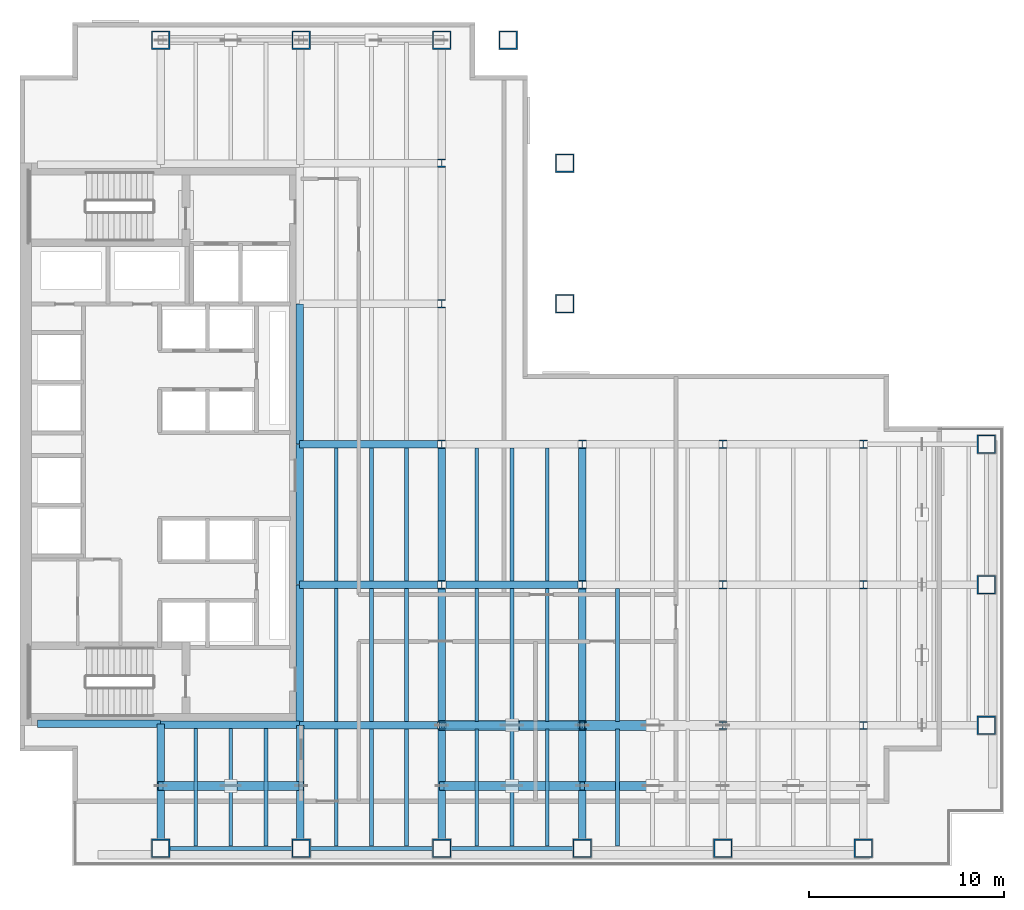
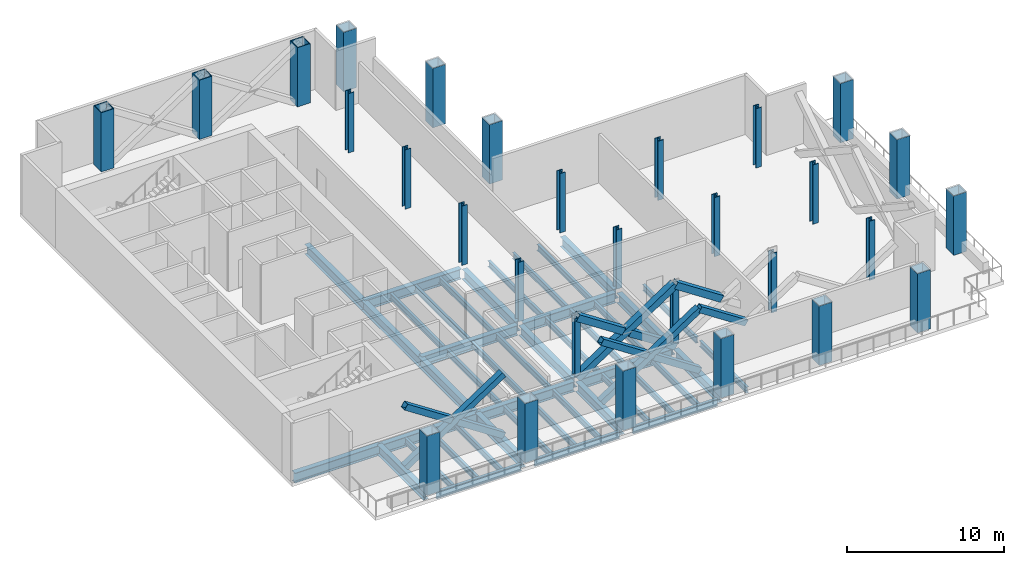
# One storey, part 1 of 9: 44 beams, 29 columns, 11 members.
"""IFC4 building model written with IfcOpenShell, lengths in metres."""

from ifc_helpers import new_model, si_unit, direction, frame, origin, origin_2d, place, context, subcontext, project, spatial, hollow_rectangle, i_section, extrude, material, material_profile, profile_set, type_object, element, save


model = new_model("IFC4")

# Units and contexts
model_context = context("Model", 3, precision=1e-05, world=origin(), true_north=direction((0.0, 1.0)))
body_context = subcontext(model_context, "Body", "Model", "MODEL_VIEW")
ifc_project = project(units=[si_unit("LENGTHUNIT", "METRE"), si_unit("AREAUNIT", "SQUARE_METRE"), si_unit("VOLUMEUNIT", "CUBIC_METRE"), si_unit("PLANEANGLEUNIT", "RADIAN"), si_unit("MASSUNIT", "GRAM", prefix="KILO")], contexts=[model_context])

# Site, building, storey
site_placement = place(None, origin())
site = spatial("IfcSite", under=ifc_project, at=site_placement, CompositionType="ELEMENT")
building_placement = place(site_placement, origin())
building = spatial("IfcBuilding", under=site, at=building_placement, Name="Cobrela Telecom Tower", CompositionType="ELEMENT")
storey_placement = place(building_placement, frame((0.0, 0.0, 92.75)))
storey = spatial("IfcBuildingStorey", under=building, at=storey_placement, Name="L23", CompositionType="ELEMENT", Elevation=92.75)

# Columns
ifc_material_1 = material(Name="Steel ASTM A992 Grade 50", Category="steel")
ifc_material_profile_1 = material_profile(ifc_material_1, i_section(OverallWidth=0.408935546875, OverallDepth=0.424072265625, WebThickness=0.03271484375, FlangeThickness=0.052490234375, FilletRadius=0.01806640625, at=origin_2d()), Name="W14X283")
ifc_profile_set_1 = profile_set([ifc_material_profile_1], Name="Steel ASTM A992 Grade 50")
column_type_1 = type_object("IfcColumnType", Name="COL-INT-05", PredefinedType="COLUMN", material=ifc_profile_set_1)
for number, where, z_axis, x_axis, name in (
    (1, (21.60009765625, 7.199951171875, 0.0), (0.0, 0.0, 1.0), (1.0, 0.0, 0.0), "L23 Interior Column 06"),
    (2, (21.60009765625, 14.39990234375, 0.0), (0.0, 0.0, 1.0), (1.0, 0.0, 0.0), "L23 Interior Column 07"),
    (3, (21.60009765625, 21.60009765625, 0.0), (0.0, 0.0, 1.0), (1.0, 0.0, 0.0), "L23 Interior Column 08"),
    (4, (21.60009765625, 28.800048828125, 0.0), (0.0, 0.0, 1.0), (1.0, 0.0, 0.0), "L23 Interior Column 09"),
    (5, (21.60009765625, 36.0, 0.0), (0.0, 0.0, 1.0), (1.0, 0.0, 0.0), "L23 Interior Column 10"),
    (6, (28.800048828125, 7.199951171875, 0.0), (0.0, 0.0, 1.0), (1.0, 0.0, 0.0), "L23 Interior Column 16"),
    (7, (28.800048828125, 14.39990234375, 0.0), (0.0, 0.0, 1.0), (1.0, 0.0, 0.0), "L23 Interior Column 17"),
    (8, (28.800048828125, 21.60009765625, 0.0), (0.0, 0.0, 1.0), (1.0, 0.0, 0.0), "L23 Interior Column 18"),
    (9, (36.0, 7.199951171875, 0.0), (0.0, 0.0, 1.0), (1.0, 0.0, 0.0), "L23 Interior Column 20"),
    (10, (36.0, 14.39990234375, 0.0), (0.0, 0.0, 1.0), (1.0, 0.0, 0.0), "L23 Interior Column 21"),
    (11, (36.0, 21.60009765625, 0.0), (0.0, 0.0, 1.0), (1.0, 0.0, 0.0), "L23 Interior Column 22"),
    (12, (43.199951171875, 7.199951171875, 0.0), (0.0, 0.0, 1.0), (1.0, 0.0, 0.0), "L23 Interior Column 24"),
    (13, (43.199951171875, 14.39990234375, 0.0), (0.0, 0.0, 1.0), (1.0, 0.0, 0.0), "L23 Interior Column 25"),
    (14, (43.199951171875, 21.60009765625, 0.0), (0.0, 0.0, 1.0), (1.0, 0.0, 0.0), "L23 Interior Column 26"),
):
    element("IfcColumn", number, at=place(storey_placement, frame(where, z_axis=z_axis, x_axis=x_axis)), inside=storey, type_object=column_type_1, Name=name, PredefinedType="COLUMN", context=body_context, shape_type="SweptSolid", body=[
        extrude(i_section(OverallWidth=0.408935546875, OverallDepth=0.424072265625, WebThickness=0.03271484375, FlangeThickness=0.052490234375, FilletRadius=0.01806640625, at=origin_2d()), origin(), (0.0, 0.0, 1.0), 4.60009765625),
    ])
ifc_material_2 = material(Name="Steel ASTM A572 Grade 50", Category="steel")
ifc_material_profile_2 = material_profile(ifc_material_2, hollow_rectangle(XDim=0.949951171875, YDim=0.949951171875, WallThickness=0.06005859375, at=origin_2d()), Name="BOX 950x950x60")
ifc_profile_set_2 = profile_set([ifc_material_profile_2], Name="Steel ASTM A572 Grade 50")
column_type_2 = type_object("IfcColumnType", Name="COL-MEGA-04", PredefinedType="COLUMN", material=ifc_profile_set_2)
for number, where, z_axis, x_axis, name in (
    (15, (7.199951171875, 0.89990234375, 0.0), (0.0, 0.0, 1.0), (1.0, 0.0, 0.0), "L23 Perimeter Mega-Column 01"),
    (16, (7.199951171875, 42.300048828125, 0.0), (0.0, 0.0, 1.0), (1.0, 0.0, 0.0), "L23 Perimeter Mega-Column 02"),
    (17, (14.39990234375, 0.89990234375, 0.0), (0.0, 0.0, 1.0), (1.0, 0.0, 0.0), "L23 Perimeter Mega-Column 03"),
    (18, (14.39990234375, 42.300048828125, 0.0), (0.0, 0.0, 1.0), (1.0, 0.0, 0.0), "L23 Perimeter Mega-Column 04"),
    (19, (21.60009765625, 0.89990234375, 0.0), (0.0, 0.0, 1.0), (1.0, 0.0, 0.0), "L23 Perimeter Mega-Column 05"),
    (20, (21.60009765625, 42.300048828125, 0.0), (0.0, 0.0, 1.0), (1.0, 0.0, 0.0), "L23 Perimeter Mega-Column 11"),
    (21, (25.0, 42.300048828125, 0.0), (0.0, 0.0, 1.0), (1.0, 0.0, 0.0), "L23 Perimeter Mega-Column 12"),
    (22, (27.89990234375, 28.800048828125, 0.0), (0.0, 0.0, 1.0), (1.0, 0.0, 0.0), "L23 Perimeter Mega-Column 13"),
    (23, (27.89990234375, 36.0, 0.0), (0.0, 0.0, 1.0), (1.0, 0.0, 0.0), "L23 Perimeter Mega-Column 14"),
    (24, (28.800048828125, 0.89990234375, 0.0), (0.0, 0.0, 1.0), (1.0, 0.0, 0.0), "L23 Perimeter Mega-Column 15"),
    (25, (36.0, 0.89990234375, 0.0), (0.0, 0.0, 1.0), (1.0, 0.0, 0.0), "L23 Perimeter Mega-Column 19"),
    (26, (43.199951171875, 0.89990234375, 0.0), (0.0, 0.0, 1.0), (1.0, 0.0, 0.0), "L23 Perimeter Mega-Column 23"),
    (27, (49.5, 7.199951171875, 0.0), (0.0, 0.0, 1.0), (1.0, 0.0, 0.0), "L23 Perimeter Mega-Column 27"),
    (28, (49.5, 14.39990234375, 0.0), (0.0, 0.0, 1.0), (1.0, 0.0, 0.0), "L23 Perimeter Mega-Column 28"),
    (29, (49.5, 21.60009765625, 0.0), (0.0, 0.0, 1.0), (1.0, 0.0, 0.0), "L23 Perimeter Mega-Column 29"),
):
    element("IfcColumn", number, at=place(storey_placement, frame(where, z_axis=z_axis, x_axis=x_axis)), inside=storey, type_object=column_type_2, Name=name, PredefinedType="COLUMN", context=body_context, shape_type="SweptSolid", body=[
        extrude(hollow_rectangle(XDim=0.949951171875, YDim=0.949951171875, WallThickness=0.06005859375, at=origin_2d()), origin(), (0.0, 0.0, 1.0), 4.60009765625),
    ])

# Beams
ifc_material_profile_3 = material_profile(ifc_material_1, i_section(OverallWidth=0.381103515625, OverallDepth=0.77197265625, WebThickness=0.0166015625, FlangeThickness=0.027099609375, FilletRadius=0.01904296875, at=origin_2d()), Name="W30X173")
ifc_profile_set_3 = profile_set([ifc_material_profile_3], Name="Steel ASTM A992 Grade 50")
beam_type_1 = type_object("IfcBeamType", Name="BM-GIRD-04", PredefinedType="USERDEFINED", material=ifc_profile_set_3)
beam_1_placement = place(storey_placement, frame((0.905029296875, 7.280029296875, -0.666015625), z_axis=(1.0, 0.0, 0.0), x_axis=(0.0, 1.0, 0.0)))
element("IfcBeam", 30, at=beam_1_placement, inside=storey, type_object=beam_type_1, Name="L23 Primary Girder X06", ObjectType="GIRDER", PredefinedType="USERDEFINED", context=body_context, shape_type="SweptSolid", body=[
    extrude(i_section(OverallWidth=0.381103515625, OverallDepth=0.77197265625, WebThickness=0.0166015625, FlangeThickness=0.027099609375, FilletRadius=0.01904296875, at=origin_2d()), origin(), (0.0, 0.0, 1.0), 6.2900390625),
])
beam_2_placement = place(storey_placement, frame((7.205078125, 7.239990234375, -0.666015625), z_axis=(1.0, 0.0, 0.0), x_axis=(0.0, 1.0, 0.0)))
element("IfcBeam", 31, at=beam_2_placement, inside=storey, type_object=beam_type_1, Name="L23 Primary Girder X07", ObjectType="GIRDER", PredefinedType="USERDEFINED", context=body_context, shape_type="SweptSolid", body=[
    extrude(i_section(OverallWidth=0.381103515625, OverallDepth=0.77197265625, WebThickness=0.0166015625, FlangeThickness=0.027099609375, FilletRadius=0.01904296875, at=origin_2d()), origin(), (0.0, 0.0, 1.0), 7.10986328125),
])
beam_3_placement = place(storey_placement, frame((14.324951171875, 7.199951171875, -0.666015625), z_axis=(1.0, 0.0, 0.0), x_axis=(0.0, 1.0, 0.0)))
element("IfcBeam", 32, at=beam_3_placement, inside=storey, type_object=beam_type_1, Name="L23 Primary Girder X08", ObjectType="GIRDER", PredefinedType="USERDEFINED", context=body_context, shape_type="SweptSolid", body=[
    extrude(i_section(OverallWidth=0.381103515625, OverallDepth=0.77197265625, WebThickness=0.0166015625, FlangeThickness=0.027099609375, FilletRadius=0.01904296875, at=origin_2d()), origin(), (0.0, 0.0, 1.0), 7.0654296875),
])
beam_4_placement = place(storey_placement, frame((21.8095703125, 7.199951171875, -0.666015625), z_axis=(1.0, 0.0, 0.0), x_axis=(0.0, 1.0, 0.0)))
element("IfcBeam", 33, at=beam_4_placement, inside=storey, type_object=beam_type_1, Name="L23 Primary Girder X09", ObjectType="GIRDER", PredefinedType="USERDEFINED", context=body_context, shape_type="SweptSolid", body=[
    extrude(i_section(OverallWidth=0.381103515625, OverallDepth=0.77197265625, WebThickness=0.0166015625, FlangeThickness=0.027099609375, FilletRadius=0.01904296875, at=origin_2d()), origin(), (0.0, 0.0, 1.0), 6.781005859375),
])
beam_5_placement = place(storey_placement, frame((14.324951171875, 14.39990234375, -0.666015625), z_axis=(1.0, 0.0, 0.0), x_axis=(0.0, 1.0, 0.0)))
element("IfcBeam", 34, at=beam_5_placement, inside=storey, type_object=beam_type_1, Name="L23 Primary Girder X13", ObjectType="GIRDER", PredefinedType="USERDEFINED", context=body_context, shape_type="SweptSolid", body=[
    extrude(i_section(OverallWidth=0.381103515625, OverallDepth=0.77197265625, WebThickness=0.0166015625, FlangeThickness=0.027099609375, FilletRadius=0.01904296875, at=origin_2d()), origin(), (0.0, 0.0, 1.0), 7.0654296875),
])
beam_6_placement = place(storey_placement, frame((21.8095703125, 14.39990234375, -0.666015625), z_axis=(1.0, 0.0, 0.0), x_axis=(0.0, 1.0, 0.0)))
element("IfcBeam", 35, at=beam_6_placement, inside=storey, type_object=beam_type_1, Name="L23 Primary Girder X14", ObjectType="GIRDER", PredefinedType="USERDEFINED", context=body_context, shape_type="SweptSolid", body=[
    extrude(i_section(OverallWidth=0.381103515625, OverallDepth=0.77197265625, WebThickness=0.0166015625, FlangeThickness=0.027099609375, FilletRadius=0.01904296875, at=origin_2d()), origin(), (0.0, 0.0, 1.0), 6.781005859375),
])
beam_7_placement = place(storey_placement, frame((14.324951171875, 21.60009765625, -0.666015625), z_axis=(1.0, 0.0, 0.0), x_axis=(0.0, 1.0, 0.0)))
element("IfcBeam", 36, at=beam_7_placement, inside=storey, type_object=beam_type_1, Name="L23 Primary Girder X18", ObjectType="GIRDER", PredefinedType="USERDEFINED", context=body_context, shape_type="SweptSolid", body=[
    extrude(i_section(OverallWidth=0.381103515625, OverallDepth=0.77197265625, WebThickness=0.0166015625, FlangeThickness=0.027099609375, FilletRadius=0.01904296875, at=origin_2d()), origin(), (0.0, 0.0, 1.0), 7.0654296875),
])
beam_8_placement = place(storey_placement, frame((7.199951171875, 1.3798828125, -0.666015625), z_axis=(0.0, 1.0, 0.0), x_axis=(-1.0, 0.0, 0.0)))
element("IfcBeam", 37, at=beam_8_placement, inside=storey, type_object=beam_type_1, Name="L23 Primary Girder Y29", ObjectType="GIRDER", PredefinedType="USERDEFINED", context=body_context, shape_type="SweptSolid", body=[
    extrude(i_section(OverallWidth=0.381103515625, OverallDepth=0.77197265625, WebThickness=0.0166015625, FlangeThickness=0.027099609375, FilletRadius=0.01904296875, at=origin_2d()), origin(), (0.0, 0.0, 1.0), 5.89501953125),
])
beam_9_placement = place(storey_placement, frame((14.360107421875, 1.3798828125, -0.666015625), z_axis=(0.0, 1.0, 0.0), x_axis=(-1.0, 0.0, 0.0)))
element("IfcBeam", 38, at=beam_9_placement, inside=storey, type_object=beam_type_1, Name="L23 Primary Girder Y31", ObjectType="GIRDER", PredefinedType="USERDEFINED", context=body_context, shape_type="SweptSolid", body=[
    extrude(i_section(OverallWidth=0.381103515625, OverallDepth=0.77197265625, WebThickness=0.0166015625, FlangeThickness=0.027099609375, FilletRadius=0.01904296875, at=origin_2d()), origin(), (0.0, 0.0, 1.0), 5.815185546875),
])
for number, where, z_axis, x_axis, name in (
    (39, (14.320068359375, 7.205078125, -0.666015625), (0.0, 1.0, 0.0), (-1.0, 0.0, 0.0), "L23 Primary Girder Y32"),
    (40, (14.320068359375, 14.405029296875, -0.666015625), (0.0, 1.0, 0.0), (-1.0, 0.0, 0.0), "L23 Primary Girder Y33"),
    (41, (14.320068359375, 21.60498046875, -0.666015625), (0.0, 1.0, 0.0), (-1.0, 0.0, 0.0), "L23 Primary Girder Y34"),
):
    element("IfcBeam", number, at=place(storey_placement, frame(where, z_axis=z_axis, x_axis=x_axis)), inside=storey, type_object=beam_type_1, Name=name, ObjectType="GIRDER", PredefinedType="USERDEFINED", context=body_context, shape_type="SweptSolid", body=[
        extrude(i_section(OverallWidth=0.381103515625, OverallDepth=0.77197265625, WebThickness=0.0166015625, FlangeThickness=0.027099609375, FilletRadius=0.01904296875, at=origin_2d()), origin(), (0.0, 0.0, 1.0), 7.18994140625),
    ])
beam_10_placement = place(storey_placement, frame((21.60009765625, 1.3798828125, -0.666015625), z_axis=(0.0, 1.0, 0.0), x_axis=(-1.0, 0.0, 0.0)))
element("IfcBeam", 42, at=beam_10_placement, inside=storey, type_object=beam_type_1, Name="L23 Primary Girder Y37", ObjectType="GIRDER", PredefinedType="USERDEFINED", context=body_context, shape_type="SweptSolid", body=[
    extrude(i_section(OverallWidth=0.381103515625, OverallDepth=0.77197265625, WebThickness=0.0166015625, FlangeThickness=0.027099609375, FilletRadius=0.01904296875, at=origin_2d()), origin(), (0.0, 0.0, 1.0), 5.610595703125),
])
beam_11_placement = place(storey_placement, frame((21.60009765625, 7.409423828125, -0.666015625), z_axis=(0.0, 1.0, 0.0), x_axis=(-1.0, 0.0, 0.0)))
element("IfcBeam", 43, at=beam_11_placement, inside=storey, type_object=beam_type_1, Name="L23 Primary Girder Y38", ObjectType="GIRDER", PredefinedType="USERDEFINED", context=body_context, shape_type="SweptSolid", body=[
    extrude(i_section(OverallWidth=0.381103515625, OverallDepth=0.77197265625, WebThickness=0.0166015625, FlangeThickness=0.027099609375, FilletRadius=0.01904296875, at=origin_2d()), origin(), (0.0, 0.0, 1.0), 6.781005859375),
])
beam_12_placement = place(storey_placement, frame((21.60009765625, 14.609619140625, -0.666015625), z_axis=(0.0, 1.0, 0.0), x_axis=(-1.0, 0.0, 0.0)))
element("IfcBeam", 44, at=beam_12_placement, inside=storey, type_object=beam_type_1, Name="L23 Primary Girder Y39", ObjectType="GIRDER", PredefinedType="USERDEFINED", context=body_context, shape_type="SweptSolid", body=[
    extrude(i_section(OverallWidth=0.381103515625, OverallDepth=0.77197265625, WebThickness=0.0166015625, FlangeThickness=0.027099609375, FilletRadius=0.01904296875, at=origin_2d()), origin(), (0.0, 0.0, 1.0), 6.78076171875),
])
beam_13_placement = place(storey_placement, frame((28.800048828125, 1.3798828125, -0.666015625), z_axis=(0.0, 1.0, 0.0), x_axis=(-1.0, 0.0, 0.0)))
element("IfcBeam", 45, at=beam_13_placement, inside=storey, type_object=beam_type_1, Name="L23 Primary Girder Y43", ObjectType="GIRDER", PredefinedType="USERDEFINED", context=body_context, shape_type="SweptSolid", body=[
    extrude(i_section(OverallWidth=0.381103515625, OverallDepth=0.77197265625, WebThickness=0.0166015625, FlangeThickness=0.027099609375, FilletRadius=0.01904296875, at=origin_2d()), origin(), (0.0, 0.0, 1.0), 5.610595703125),
])
beam_14_placement = place(storey_placement, frame((28.800048828125, 7.409423828125, -0.666015625), z_axis=(0.0, 1.0, 0.0), x_axis=(-1.0, 0.0, 0.0)))
element("IfcBeam", 46, at=beam_14_placement, inside=storey, type_object=beam_type_1, Name="L23 Primary Girder Y44", ObjectType="GIRDER", PredefinedType="USERDEFINED", context=body_context, shape_type="SweptSolid", body=[
    extrude(i_section(OverallWidth=0.381103515625, OverallDepth=0.77197265625, WebThickness=0.0166015625, FlangeThickness=0.027099609375, FilletRadius=0.01904296875, at=origin_2d()), origin(), (0.0, 0.0, 1.0), 6.781005859375),
])
beam_15_placement = place(storey_placement, frame((28.800048828125, 14.609619140625, -0.666015625), z_axis=(0.0, 1.0, 0.0), x_axis=(-1.0, 0.0, 0.0)))
element("IfcBeam", 47, at=beam_15_placement, inside=storey, type_object=beam_type_1, Name="L23 Primary Girder Y45", ObjectType="GIRDER", PredefinedType="USERDEFINED", context=body_context, shape_type="SweptSolid", body=[
    extrude(i_section(OverallWidth=0.381103515625, OverallDepth=0.77197265625, WebThickness=0.0166015625, FlangeThickness=0.027099609375, FilletRadius=0.01904296875, at=origin_2d()), origin(), (0.0, 0.0, 1.0), 6.78076171875),
])
ifc_material_profile_4 = material_profile(ifc_material_1, i_section(OverallWidth=0.193115234375, OverallDepth=0.467041015625, WebThickness=0.011474609375, FlangeThickness=0.01904296875, FilletRadius=0.012939453125, at=origin_2d()), Name="W18X65")
ifc_profile_set_4 = profile_set([ifc_material_profile_4], Name="Steel ASTM A992 Grade 50")
beam_type_2 = type_object("IfcBeamType", Name="BM-JOIST-03", PredefinedType="JOIST", material=ifc_profile_set_4)
for number, where, z_axis, x_axis, name in (
    (48, (9.0, 1.011474609375, -0.513427734375), (0.0, 1.0, 0.0), (-1.0, 0.0, 0.0), "L23 Secondary Composite Floor Beam J01"),
    (49, (10.800048828125, 1.011474609375, -0.513427734375), (0.0, 1.0, 0.0), (-1.0, 0.0, 0.0), "L23 Secondary Composite Floor Beam J03"),
    (50, (12.60009765625, 1.011474609375, -0.513427734375), (0.0, 1.0, 0.0), (-1.0, 0.0, 0.0), "L23 Secondary Composite Floor Beam J05"),
):
    element("IfcBeam", number, at=place(storey_placement, frame(where, z_axis=z_axis, x_axis=x_axis)), inside=storey, type_object=beam_type_2, Name=name, PredefinedType="JOIST", context=body_context, shape_type="SweptSolid", body=[
        extrude(i_section(OverallWidth=0.193115234375, OverallDepth=0.467041015625, WebThickness=0.011474609375, FlangeThickness=0.01904296875, FilletRadius=0.012939453125, at=origin_2d()), origin(), (0.0, 0.0, 1.0), 6.032958984375),
    ])
beam_16_placement = place(storey_placement, frame((16.199951171875, 1.011474609375, -0.513427734375), z_axis=(0.0, 1.0, 0.0), x_axis=(-1.0, 0.0, 0.0)))
element("IfcBeam", 51, at=beam_16_placement, inside=storey, type_object=beam_type_2, Name="L23 Secondary Composite Floor Beam J07", PredefinedType="JOIST", context=body_context, shape_type="SweptSolid", body=[
    extrude(i_section(OverallWidth=0.193115234375, OverallDepth=0.467041015625, WebThickness=0.011474609375, FlangeThickness=0.01904296875, FilletRadius=0.012939453125, at=origin_2d()), origin(), (0.0, 0.0, 1.0), 5.992919921875),
])
for number, where, z_axis, x_axis, name in (
    (52, (16.199951171875, 7.3955078125, -0.513427734375), (0.0, 1.0, 0.0), (-1.0, 0.0, 0.0), "L23 Secondary Composite Floor Beam J08"),
    (53, (16.199951171875, 14.595458984375, -0.513427734375), (0.0, 1.0, 0.0), (-1.0, 0.0, 0.0), "L23 Secondary Composite Floor Beam J09"),
):
    element("IfcBeam", number, at=place(storey_placement, frame(where, z_axis=z_axis, x_axis=x_axis)), inside=storey, type_object=beam_type_2, Name=name, PredefinedType="JOIST", context=body_context, shape_type="SweptSolid", body=[
        extrude(i_section(OverallWidth=0.193115234375, OverallDepth=0.467041015625, WebThickness=0.011474609375, FlangeThickness=0.01904296875, FilletRadius=0.012939453125, at=origin_2d()), origin(), (0.0, 0.0, 1.0), 6.80908203125),
    ])
beam_17_placement = place(storey_placement, frame((18.0, 1.011474609375, -0.513427734375), z_axis=(0.0, 1.0, 0.0), x_axis=(-1.0, 0.0, 0.0)))
element("IfcBeam", 54, at=beam_17_placement, inside=storey, type_object=beam_type_2, Name="L23 Secondary Composite Floor Beam J13", PredefinedType="JOIST", context=body_context, shape_type="SweptSolid", body=[
    extrude(i_section(OverallWidth=0.193115234375, OverallDepth=0.467041015625, WebThickness=0.011474609375, FlangeThickness=0.01904296875, FilletRadius=0.012939453125, at=origin_2d()), origin(), (0.0, 0.0, 1.0), 5.992919921875),
])
for number, where, z_axis, x_axis, name in (
    (55, (18.0, 7.3955078125, -0.513427734375), (0.0, 1.0, 0.0), (-1.0, 0.0, 0.0), "L23 Secondary Composite Floor Beam J14"),
    (56, (18.0, 14.595458984375, -0.513427734375), (0.0, 1.0, 0.0), (-1.0, 0.0, 0.0), "L23 Secondary Composite Floor Beam J15"),
):
    element("IfcBeam", number, at=place(storey_placement, frame(where, z_axis=z_axis, x_axis=x_axis)), inside=storey, type_object=beam_type_2, Name=name, PredefinedType="JOIST", context=body_context, shape_type="SweptSolid", body=[
        extrude(i_section(OverallWidth=0.193115234375, OverallDepth=0.467041015625, WebThickness=0.011474609375, FlangeThickness=0.01904296875, FilletRadius=0.012939453125, at=origin_2d()), origin(), (0.0, 0.0, 1.0), 6.80908203125),
    ])
beam_18_placement = place(storey_placement, frame((19.800048828125, 1.011474609375, -0.513427734375), z_axis=(0.0, 1.0, 0.0), x_axis=(-1.0, 0.0, 0.0)))
element("IfcBeam", 57, at=beam_18_placement, inside=storey, type_object=beam_type_2, Name="L23 Secondary Composite Floor Beam J19", PredefinedType="JOIST", context=body_context, shape_type="SweptSolid", body=[
    extrude(i_section(OverallWidth=0.193115234375, OverallDepth=0.467041015625, WebThickness=0.011474609375, FlangeThickness=0.01904296875, FilletRadius=0.012939453125, at=origin_2d()), origin(), (0.0, 0.0, 1.0), 5.992919921875),
])
for number, where, z_axis, x_axis, name in (
    (58, (19.800048828125, 7.3955078125, -0.513427734375), (0.0, 1.0, 0.0), (-1.0, 0.0, 0.0), "L23 Secondary Composite Floor Beam J20"),
    (59, (19.800048828125, 14.595458984375, -0.513427734375), (0.0, 1.0, 0.0), (-1.0, 0.0, 0.0), "L23 Secondary Composite Floor Beam J21"),
):
    element("IfcBeam", number, at=place(storey_placement, frame(where, z_axis=z_axis, x_axis=x_axis)), inside=storey, type_object=beam_type_2, Name=name, PredefinedType="JOIST", context=body_context, shape_type="SweptSolid", body=[
        extrude(i_section(OverallWidth=0.193115234375, OverallDepth=0.467041015625, WebThickness=0.011474609375, FlangeThickness=0.01904296875, FilletRadius=0.012939453125, at=origin_2d()), origin(), (0.0, 0.0, 1.0), 6.80908203125),
    ])
beam_19_placement = place(storey_placement, frame((23.39990234375, 1.011474609375, -0.513427734375), z_axis=(0.0, 1.0, 0.0), x_axis=(-1.0, 0.0, 0.0)))
element("IfcBeam", 60, at=beam_19_placement, inside=storey, type_object=beam_type_2, Name="L23 Secondary Composite Floor Beam J25", PredefinedType="JOIST", context=body_context, shape_type="SweptSolid", body=[
    extrude(i_section(OverallWidth=0.193115234375, OverallDepth=0.467041015625, WebThickness=0.011474609375, FlangeThickness=0.01904296875, FilletRadius=0.012939453125, at=origin_2d()), origin(), (0.0, 0.0, 1.0), 5.992919921875),
])
for number, where, z_axis, x_axis, name in (
    (61, (23.39990234375, 7.3955078125, -0.513427734375), (0.0, 1.0, 0.0), (-1.0, 0.0, 0.0), "L23 Secondary Composite Floor Beam J26"),
    (62, (23.39990234375, 14.595458984375, -0.513427734375), (0.0, 1.0, 0.0), (-1.0, 0.0, 0.0), "L23 Secondary Composite Floor Beam J27"),
):
    element("IfcBeam", number, at=place(storey_placement, frame(where, z_axis=z_axis, x_axis=x_axis)), inside=storey, type_object=beam_type_2, Name=name, PredefinedType="JOIST", context=body_context, shape_type="SweptSolid", body=[
        extrude(i_section(OverallWidth=0.193115234375, OverallDepth=0.467041015625, WebThickness=0.011474609375, FlangeThickness=0.01904296875, FilletRadius=0.012939453125, at=origin_2d()), origin(), (0.0, 0.0, 1.0), 6.80908203125),
    ])
beam_20_placement = place(storey_placement, frame((25.199951171875, 1.011474609375, -0.513427734375), z_axis=(0.0, 1.0, 0.0), x_axis=(-1.0, 0.0, 0.0)))
element("IfcBeam", 63, at=beam_20_placement, inside=storey, type_object=beam_type_2, Name="L23 Secondary Composite Floor Beam J28", PredefinedType="JOIST", context=body_context, shape_type="SweptSolid", body=[
    extrude(i_section(OverallWidth=0.193115234375, OverallDepth=0.467041015625, WebThickness=0.011474609375, FlangeThickness=0.01904296875, FilletRadius=0.012939453125, at=origin_2d()), origin(), (0.0, 0.0, 1.0), 5.992919921875),
])
for number, where, z_axis, x_axis, name in (
    (64, (25.199951171875, 7.3955078125, -0.513427734375), (0.0, 1.0, 0.0), (-1.0, 0.0, 0.0), "L23 Secondary Composite Floor Beam J29"),
    (65, (25.199951171875, 14.595458984375, -0.513427734375), (0.0, 1.0, 0.0), (-1.0, 0.0, 0.0), "L23 Secondary Composite Floor Beam J30"),
):
    element("IfcBeam", number, at=place(storey_placement, frame(where, z_axis=z_axis, x_axis=x_axis)), inside=storey, type_object=beam_type_2, Name=name, PredefinedType="JOIST", context=body_context, shape_type="SweptSolid", body=[
        extrude(i_section(OverallWidth=0.193115234375, OverallDepth=0.467041015625, WebThickness=0.011474609375, FlangeThickness=0.01904296875, FilletRadius=0.012939453125, at=origin_2d()), origin(), (0.0, 0.0, 1.0), 6.80908203125),
    ])
beam_21_placement = place(storey_placement, frame((27.0, 1.011474609375, -0.513427734375), z_axis=(0.0, 1.0, 0.0), x_axis=(-1.0, 0.0, 0.0)))
element("IfcBeam", 66, at=beam_21_placement, inside=storey, type_object=beam_type_2, Name="L23 Secondary Composite Floor Beam J31", PredefinedType="JOIST", context=body_context, shape_type="SweptSolid", body=[
    extrude(i_section(OverallWidth=0.193115234375, OverallDepth=0.467041015625, WebThickness=0.011474609375, FlangeThickness=0.01904296875, FilletRadius=0.012939453125, at=origin_2d()), origin(), (0.0, 0.0, 1.0), 5.992919921875),
])
for number, where, z_axis, x_axis, name in (
    (67, (27.0, 7.3955078125, -0.513427734375), (0.0, 1.0, 0.0), (-1.0, 0.0, 0.0), "L23 Secondary Composite Floor Beam J32"),
    (68, (27.0, 14.595458984375, -0.513427734375), (0.0, 1.0, 0.0), (-1.0, 0.0, 0.0), "L23 Secondary Composite Floor Beam J33"),
):
    element("IfcBeam", number, at=place(storey_placement, frame(where, z_axis=z_axis, x_axis=x_axis)), inside=storey, type_object=beam_type_2, Name=name, PredefinedType="JOIST", context=body_context, shape_type="SweptSolid", body=[
        extrude(i_section(OverallWidth=0.193115234375, OverallDepth=0.467041015625, WebThickness=0.011474609375, FlangeThickness=0.01904296875, FilletRadius=0.012939453125, at=origin_2d()), origin(), (0.0, 0.0, 1.0), 6.80908203125),
    ])
beam_22_placement = place(storey_placement, frame((30.60009765625, 1.011474609375, -0.513427734375), z_axis=(0.0, 1.0, 0.0), x_axis=(-1.0, 0.0, 0.0)))
element("IfcBeam", 69, at=beam_22_placement, inside=storey, type_object=beam_type_2, Name="L23 Secondary Composite Floor Beam J34", PredefinedType="JOIST", context=body_context, shape_type="SweptSolid", body=[
    extrude(i_section(OverallWidth=0.193115234375, OverallDepth=0.467041015625, WebThickness=0.011474609375, FlangeThickness=0.01904296875, FilletRadius=0.012939453125, at=origin_2d()), origin(), (0.0, 0.0, 1.0), 5.992919921875),
])
beam_23_placement = place(storey_placement, frame((30.60009765625, 7.3955078125, -0.513427734375), z_axis=(0.0, 1.0, 0.0), x_axis=(-1.0, 0.0, 0.0)))
element("IfcBeam", 70, at=beam_23_placement, inside=storey, type_object=beam_type_2, Name="L23 Secondary Composite Floor Beam J35", PredefinedType="JOIST", context=body_context, shape_type="SweptSolid", body=[
    extrude(i_section(OverallWidth=0.193115234375, OverallDepth=0.467041015625, WebThickness=0.011474609375, FlangeThickness=0.01904296875, FilletRadius=0.012939453125, at=origin_2d()), origin(), (0.0, 0.0, 1.0), 6.80908203125),
])
ifc_material_profile_5 = material_profile(ifc_material_1, i_section(OverallWidth=0.212890625, OverallDepth=0.549072265625, WebThickness=0.0146484375, FlangeThickness=0.023681640625, FilletRadius=0.013916015625, at=origin_2d()), Name="W21X93")
ifc_profile_set_5 = profile_set([ifc_material_profile_5], Name="Steel ASTM A992 Grade 50")
beam_type_3 = type_object("IfcBeamType", Name="BM-SPAND-03", PredefinedType="SPANDREL", material=ifc_profile_set_5)
beam_24_placement = place(storey_placement, frame((7.679931640625, 0.89990234375, -0.554443359375), z_axis=(1.0, 0.0, 0.0), x_axis=(0.0, 1.0, 0.0)))
element("IfcBeam", 71, at=beam_24_placement, inside=storey, type_object=beam_type_3, Name="L23 Perimeter Spandrel X01", PredefinedType="SPANDREL", context=body_context, shape_type="SweptSolid", body=[
    extrude(i_section(OverallWidth=0.212890625, OverallDepth=0.549072265625, WebThickness=0.0146484375, FlangeThickness=0.023681640625, FilletRadius=0.013916015625, at=origin_2d()), origin(), (0.0, 0.0, 1.0), 6.239990234375),
])
beam_25_placement = place(storey_placement, frame((14.8798828125, 0.89990234375, -0.554443359375), z_axis=(1.0, 0.0, 0.0), x_axis=(0.0, 1.0, 0.0)))
element("IfcBeam", 72, at=beam_25_placement, inside=storey, type_object=beam_type_3, Name="L23 Perimeter Spandrel X02", PredefinedType="SPANDREL", context=body_context, shape_type="SweptSolid", body=[
    extrude(i_section(OverallWidth=0.212890625, OverallDepth=0.549072265625, WebThickness=0.0146484375, FlangeThickness=0.023681640625, FilletRadius=0.013916015625, at=origin_2d()), origin(), (0.0, 0.0, 1.0), 6.240234375),
])
beam_26_placement = place(storey_placement, frame((22.080078125, 0.89990234375, -0.554443359375), z_axis=(1.0, 0.0, 0.0), x_axis=(0.0, 1.0, 0.0)))
element("IfcBeam", 73, at=beam_26_placement, inside=storey, type_object=beam_type_3, Name="L23 Perimeter Spandrel X03", PredefinedType="SPANDREL", context=body_context, shape_type="SweptSolid", body=[
    extrude(i_section(OverallWidth=0.212890625, OverallDepth=0.549072265625, WebThickness=0.0146484375, FlangeThickness=0.023681640625, FilletRadius=0.013916015625, at=origin_2d()), origin(), (0.0, 0.0, 1.0), 6.239990234375),
])

# Members
ifc_material_profile_6 = material_profile(ifc_material_2, hollow_rectangle(XDim=0.449951171875, YDim=0.449951171875, WallThickness=0.02197265625, at=origin_2d()), Name="HSS 450x450x22")
ifc_profile_set_6 = profile_set([ifc_material_profile_6], Name="Steel ASTM A572 Grade 50")
member_type_1 = type_object("IfcMemberType", Name="MBR-BELT", PredefinedType="BRACE", material=ifc_profile_set_6)
member_1_placement = place(storey_placement, frame((7.199951171875, 4.10009765625, -0.139892578125), z_axis=(0.835247643706, 0.0, 0.549873961634), x_axis=(0.0, 1.0, 0.0)))
element("IfcMember", 74, at=member_1_placement, inside=storey, type_object=member_type_1, Name="L23 South Perimeter Belt Truss Brace 03 Continuous A", PredefinedType="BRACE", context=body_context, shape_type="SweptSolid", body=[
    extrude(hollow_rectangle(XDim=0.449951171875, YDim=0.449951171875, WallThickness=0.02197265625, at=origin_2d()), origin(), (0.0, 0.0, 1.0), 8.6201171875),
])
member_2_placement = place(storey_placement, frame((14.39990234375, 4.10009765625, -0.139892578125), z_axis=(-0.835266566476, 0.0, 0.549845217246), x_axis=(0.0, -1.0, 0.0)))
element("IfcMember", 75, at=member_2_placement, inside=storey, type_object=member_type_1, Name="L23 South Perimeter Belt Truss Brace 03 Split B1", PredefinedType="BRACE", context=body_context, shape_type="SweptSolid", body=[
    extrude(hollow_rectangle(XDim=0.449951171875, YDim=0.449951171875, WallThickness=0.02197265625, at=origin_2d()), origin(), (0.0, 0.0, 1.0), 4.057861328125),
])
member_3_placement = place(storey_placement, frame((10.589599609375, 4.10009765625, 2.36865234375), z_axis=(-0.835257125037, 0.0, 0.54985955941), x_axis=(0.0, -1.0, 0.0)))
element("IfcMember", 76, at=member_3_placement, inside=storey, type_object=member_type_1, Name="L23 South Perimeter Belt Truss Brace 03 Split B2", PredefinedType="BRACE", context=body_context, shape_type="SweptSolid", body=[
    extrude(hollow_rectangle(XDim=0.449951171875, YDim=0.449951171875, WallThickness=0.02197265625, at=origin_2d()), origin(), (0.0, 0.0, 1.0), 4.05810546875),
])
member_4_placement = place(storey_placement, frame((21.60009765625, 4.10009765625, -0.139892578125), z_axis=(0.835247643706, 0.0, 0.549873961634), x_axis=(0.0, 1.0, 0.0)))
element("IfcMember", 77, at=member_4_placement, inside=storey, type_object=member_type_1, Name="L23 South Perimeter Belt Truss Brace 04 Continuous A", PredefinedType="BRACE", context=body_context, shape_type="SweptSolid", body=[
    extrude(hollow_rectangle(XDim=0.449951171875, YDim=0.449951171875, WallThickness=0.02197265625, at=origin_2d()), origin(), (0.0, 0.0, 1.0), 8.6201171875),
])
for number, where, z_axis, x_axis, name in (
    (78, (28.800048828125, 4.10009765625, -0.139892578125), (-0.835284754685, 0.0, 0.549817586651), (0.0, -1.0, 0.0), "L23 South Perimeter Belt Truss Brace 04 Split B1"),
    (79, (24.989501953125, 4.10009765625, 2.36865234375), (-0.835238934653, 0.0, 0.549887190285), (0.0, -1.0, 0.0), "L23 South Perimeter Belt Truss Brace 04 Split B2"),
    (80, (32.189453125, 4.10009765625, 2.36865234375), (-0.835238934653, 0.0, 0.549887190285), (0.0, -1.0, 0.0), "L23 South Perimeter Belt Truss Brace 05 Split B2"),
):
    element("IfcMember", number, at=place(storey_placement, frame(where, z_axis=z_axis, x_axis=x_axis)), inside=storey, type_object=member_type_1, Name=name, PredefinedType="BRACE", context=body_context, shape_type="SweptSolid", body=[
        extrude(hollow_rectangle(XDim=0.449951171875, YDim=0.449951171875, WallThickness=0.02197265625, at=origin_2d()), origin(), (0.0, 0.0, 1.0), 4.05810546875),
    ])
ifc_material_profile_7 = material_profile(ifc_material_2, hollow_rectangle(XDim=0.5, YDim=0.5, WallThickness=0.02490234375, at=origin_2d()), Name="HSS 500x500x25")
ifc_profile_set_7 = profile_set([ifc_material_profile_7], Name="Steel ASTM A572 Grade 50")
member_type_2 = type_object("IfcMemberType", Name="MBR-OUTRIGGER", PredefinedType="BRACE", material=ifc_profile_set_7)
member_5_placement = place(storey_placement, frame((21.60009765625, 7.199951171875, -0.139892578125), z_axis=(0.835247643706, 0.0, 0.549873961634), x_axis=(0.0, 1.0, 0.0)))
element("IfcMember", 81, at=member_5_placement, inside=storey, type_object=member_type_2, Name="L23 Outrigger Truss Brace 01 Continuous A", PredefinedType="BRACE", context=body_context, shape_type="SweptSolid", body=[
    extrude(hollow_rectangle(XDim=0.5, YDim=0.5, WallThickness=0.02490234375, at=origin_2d()), origin(), (0.0, 0.0, 1.0), 8.6201171875),
])
for number, where, z_axis, x_axis, name in (
    (82, (28.800048828125, 7.199951171875, -0.139892578125), (-0.835279440388, 0.0, 0.549825660064), (0.0, -1.0, 0.0), "L23 Outrigger Truss Brace 01 Split B1"),
    (83, (24.966064453125, 7.199951171875, 2.384033203125), (-0.835233300829, 0.0, 0.549895747561), (0.0, -1.0, 0.0), "L23 Outrigger Truss Brace 01 Split B2"),
    (84, (32.166015625, 7.199951171875, 2.384033203125), (-0.835233300829, 0.0, 0.549895747561), (0.0, -1.0, 0.0), "L23 Outrigger Truss Brace 02 Split B2"),
):
    element("IfcMember", number, at=place(storey_placement, frame(where, z_axis=z_axis, x_axis=x_axis)), inside=storey, type_object=member_type_2, Name=name, PredefinedType="BRACE", context=body_context, shape_type="SweptSolid", body=[
        extrude(hollow_rectangle(XDim=0.5, YDim=0.5, WallThickness=0.02490234375, at=origin_2d()), origin(), (0.0, 0.0, 1.0), 4.030029296875),
    ])

save(model, "model.ifc")
